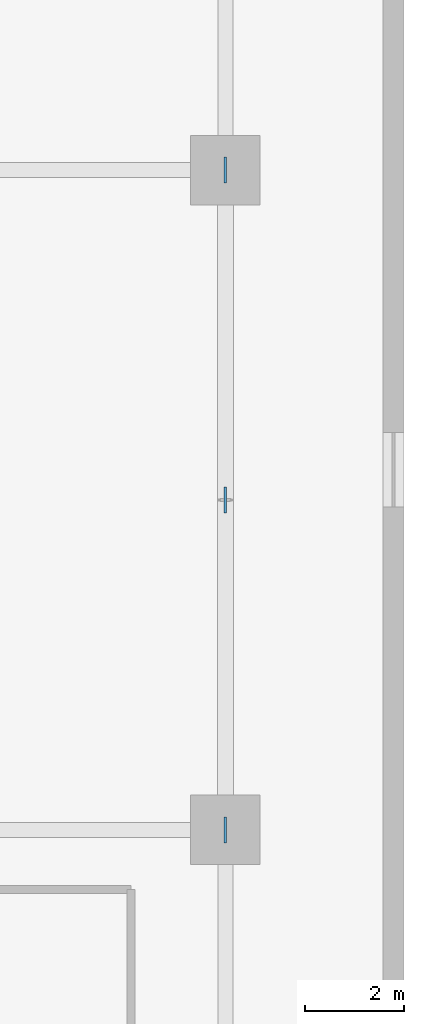
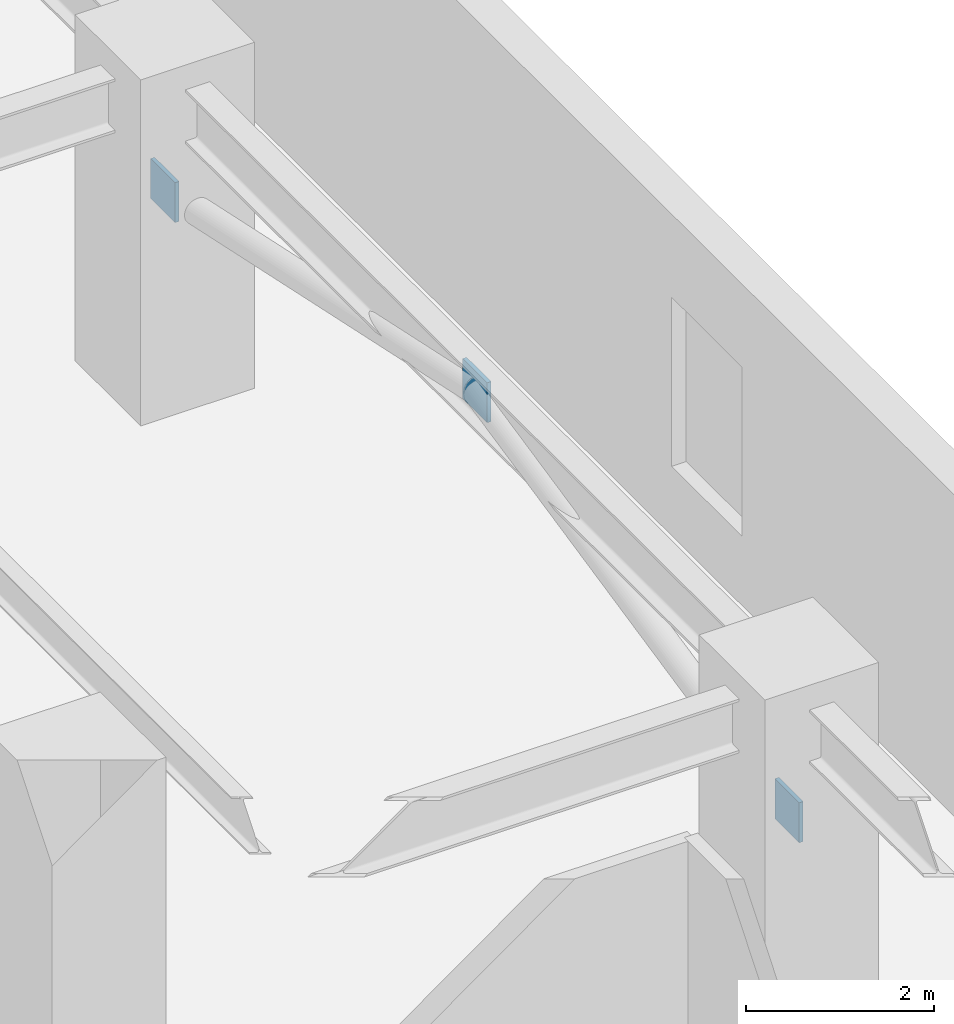
# One storey, part 21 of 32: 3 discrete accessories.
"""IFC4 building model written with IfcOpenShell, lengths in metres."""

from ifc_helpers import new_model, si_unit, direction, frame, origin, origin_2d, place, context, subcontext, project, spatial, rectangle, extrude, material, type_object, element, save


model = new_model("IFC4")

# Units and contexts
model_context = context("Model", 3, precision=1e-05, world=origin(), true_north=direction((0.0, 1.0)))
body_context = subcontext(model_context, "Body", "Model", "MODEL_VIEW")
ifc_project = project(units=[si_unit("LENGTHUNIT", "METRE"), si_unit("AREAUNIT", "SQUARE_METRE"), si_unit("VOLUMEUNIT", "CUBIC_METRE"), si_unit("PLANEANGLEUNIT", "RADIAN"), si_unit("MASSUNIT", "GRAM", prefix="KILO")], contexts=[model_context])

# Site, building, storey
site_placement = place(None, origin())
site = spatial("IfcSite", under=ifc_project, at=site_placement, CompositionType="ELEMENT")
building_placement = place(site_placement, origin())
building = spatial("IfcBuilding", under=site, at=building_placement, Name="Narakoshi Arena Tower", CompositionType="ELEMENT")
storey_placement = place(building_placement, frame((0.0, 0.0, 4.5)))
storey = spatial("IfcBuildingStorey", under=building, at=storey_placement, Name="L01", CompositionType="ELEMENT", Elevation=4.5)

# Discrete accessories
ifc_material = material(Name="Structural steel S460ML", Category="steel")
discrete_accessory_type = type_object("IfcDiscreteAccessoryType", Name="ACC-GUS-PLT", PredefinedType="BRACKET", material=ifc_material)
for number, where, z_axis, x_axis, name in (
    (1, (122.39990234375, 34.699951171875, 2.139892578125), (0.0, 0.0, 1.0), (0.0, 1.0, 0.0), "L01 Brace Node Gusset Plate 0022"),
    (2, (122.39990234375, 41.35009765625, 3.570068359375), (0.0, 0.0, 1.0), (0.0, 1.0, 0.0), "L01 Brace Node Gusset Plate 0023"),
    (3, (122.39990234375, 48.0, 2.139892578125), (0.0, 0.0, 1.0), (0.0, 1.0, 0.0), "L01 Brace Node Gusset Plate 0024"),
):
    element("IfcDiscreteAccessory", number, at=place(storey_placement, frame(where, z_axis=z_axis, x_axis=x_axis)), inside=storey, type_object=discrete_accessory_type, Name=name, PredefinedType="BRACKET", context=body_context, shape_type="SweptSolid", body=[
        extrude(rectangle(XDim=0.52001953125, YDim=0.050048828125, at=origin_2d()), origin(), (0.0, 0.0, 1.0), 0.52001953125),
    ])

save(model, "model.ifc")
